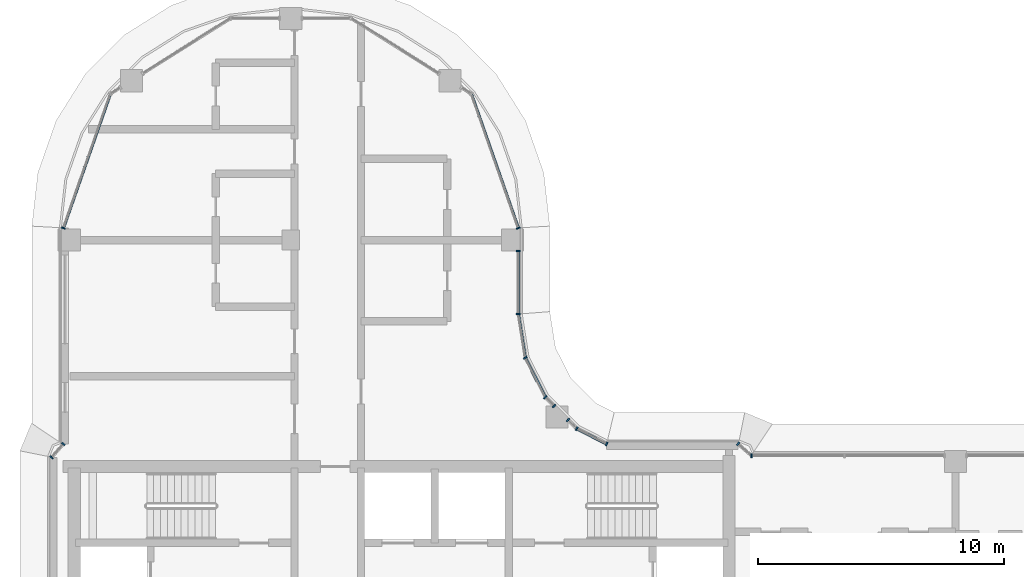
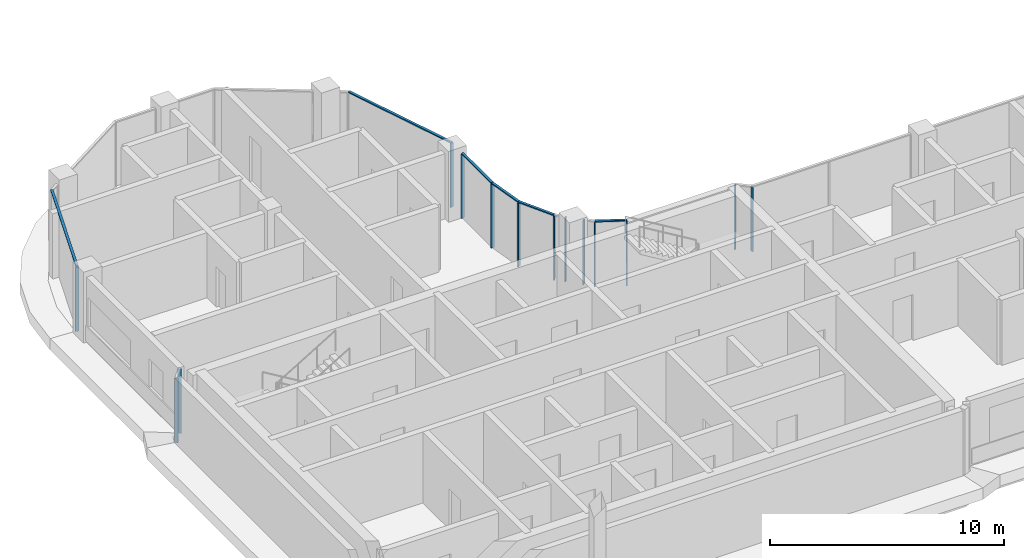
# One storey, part 2 of 20: 20 members, 8 elements without a shape of their own.
"""IFC4 building model written with IfcOpenShell, lengths in metres."""

import ifcopenshell
import ifcopenshell.guid

model = None  # the IFC model being written
_history = None  # IfcOwnerHistory: only IFC2X3 demands one
_inside = {}  # id of a spatial element -> (the spatial element, [elements in it])
_under = {}  # id of a project, library or spatial element -> (it, [spatial elements below it])
_declared = {}  # id of a project -> (the project, [libraries it declares])
_typed = {}  # id of a type object -> (the type object, [elements of that type])
_made_of = {}  # id of a material, layer set ... -> (it, [elements and type objects made of it])


def new_model(schema):
    """Start an empty IFC model of exactly this schema.

    Asked for "IFC4X3", IfcOpenShell would pick the latest addendum, in which some entities
    have other attributes; the version numbers below select the first issue.
    IFC2X3 requires an IfcOwnerHistory on every rooted entity: one is made here for all.
    """
    global model, _history
    if schema == "IFC4X3":
        model = ifcopenshell.file(schema_version=(4, 3, 0, 0))
    else:
        model = ifcopenshell.file(schema=schema)
    _inside.clear()
    _under.clear()
    _declared.clear()
    _typed.clear()
    _made_of.clear()
    _history = None
    if model.schema == "IFC2X3":
        org = make("IfcOrganization", Name="unknown")
        user = make(
            "IfcPersonAndOrganization",
            ThePerson=make("IfcPerson", FamilyName="unknown"),
            TheOrganization=org,
        )
        app = make(
            "IfcApplication",
            ApplicationDeveloper=org,
            Version="unknown",
            ApplicationFullName="unknown",
            ApplicationIdentifier="unknown",
        )
        _history = make(
            "IfcOwnerHistory",
            OwningUser=user,
            OwningApplication=app,
            ChangeAction="ADDED",
            CreationDate=0,
        )
    return model


def make(cls, **values):
    """One entity of the class cls with the attributes given. An attribute that is None is left unset."""
    return model.create_entity(
        cls, **{name: value for name, value in values.items() if value is not None}
    )


def rooted(cls, **values):
    """An entity with a GlobalId (a new one), such as an element, a storey or a relation."""
    return make(cls, GlobalId=ifcopenshell.guid.new(), OwnerHistory=_history, **values)


def si_unit(unit_type, name, prefix=None):
    """IfcSIUnit, for example si_unit("LENGTHUNIT", "METRE", prefix="MILLI")."""
    return make("IfcSIUnit", UnitType=unit_type, Prefix=prefix, Name=name)


def assignment(units):
    """IfcUnitAssignment: the units of a project."""
    return None if units is None else make("IfcUnitAssignment", Units=units)


def point(xyz):
    """IfcCartesianPoint."""
    return None if xyz is None else make("IfcCartesianPoint", Coordinates=xyz)


def direction(xyz):
    """IfcDirection."""
    return None if xyz is None else make("IfcDirection", DirectionRatios=xyz)


def frame(location, z_axis=None, x_axis=None):
    """IfcAxis2Placement3D, a coordinate frame: its origin and axes. An axis left out is left unset."""
    return make(
        "IfcAxis2Placement3D",
        Location=point(location),
        Axis=direction(z_axis),
        RefDirection=direction(x_axis),
    )


def frame_2d(location, x_axis=None):
    """IfcAxis2Placement2D, a coordinate frame in the plane: its origin and x axis."""
    return make(
        "IfcAxis2Placement2D", Location=point(location), RefDirection=direction(x_axis)
    )


def origin():
    """The frame at (0, 0, 0) with its axes left unset."""
    return frame((0.0, 0.0, 0.0))


def origin_2d():
    """The frame at (0, 0) in the plane with its x axis left unset."""
    return frame_2d((0.0, 0.0))


def place(relative_to, where):
    """IfcLocalPlacement: puts the frame where relative to a parent placement (None: the world)."""
    return make(
        "IfcLocalPlacement", PlacementRelTo=relative_to, RelativePlacement=where
    )


def context(
    kind, dimensions, precision=None, world=None, true_north=None, identifier=None
):
    """IfcGeometricRepresentationContext, for example the 3D "Model" context."""
    return make(
        "IfcGeometricRepresentationContext",
        ContextIdentifier=identifier,
        ContextType=kind,
        CoordinateSpaceDimension=dimensions,
        Precision=precision,
        WorldCoordinateSystem=world,
        TrueNorth=true_north,
    )


def subcontext(parent, identifier, kind, view, scale=None):
    """IfcGeometricRepresentationSubContext, for example "Body" below "Model"."""
    return make(
        "IfcGeometricRepresentationSubContext",
        ContextIdentifier=identifier,
        ContextType=kind,
        ParentContext=parent,
        TargetScale=scale,
        TargetView=view,
    )


def project(units=None, contexts=None):
    """IfcProject with its units and contexts."""
    return rooted(
        "IfcProject",
        Name="project",
        RepresentationContexts=contexts,
        UnitsInContext=assignment(units),
    )


def spatial(cls, under=None, at=None, **own):
    """A site, building, storey or space (cls), placed at a placement, below another one or the project."""
    s = rooted(cls, ObjectPlacement=at, **own)
    if under is not None:
        _under.setdefault(under.id(), (under, []))[1].append(s)
    return s


def profile(cls, at=None, kind="AREA", **sizes):
    """A parametric profile (cls). Its sizes go by their IFC names, for example OverallWidth=200.0."""
    return make(cls, ProfileType=kind, Position=at, **sizes)


def rectangle(**sizes):
    """IfcRectangleProfileDef."""
    return profile("IfcRectangleProfileDef", **sizes)


def extrude(swept, where, along, depth):
    """IfcExtrudedAreaSolid: the profile swept, set in the frame where, extruded along a direction by depth."""
    return make(
        "IfcExtrudedAreaSolid",
        SweptArea=swept,
        Position=where,
        ExtrudedDirection=direction(along),
        Depth=depth,
    )


def shape(context_of_items, identifier, shape_type, items):
    """IfcShapeRepresentation: the items that make up one representation, for example the "Body"."""
    return make(
        "IfcShapeRepresentation",
        ContextOfItems=context_of_items,
        RepresentationIdentifier=identifier,
        RepresentationType=shape_type,
        Items=items,
    )


def material(Name=None, Category=None):
    """IfcMaterial."""
    return make("IfcMaterial", Name=Name, Category=Category)


def material_profile(
    of_material, cross_section, Name=None, Category=None, Priority=None
):
    """IfcMaterialProfile: a cross section and its material."""
    return make(
        "IfcMaterialProfile",
        Name=Name,
        Material=of_material,
        Profile=cross_section,
        Priority=Priority,
        Category=Category,
    )


def profile_set(profiles, Name=None, composite=None):
    """IfcMaterialProfileSet."""
    return make(
        "IfcMaterialProfileSet",
        Name=Name,
        MaterialProfiles=profiles,
        CompositeProfile=composite,
    )


def made_of(thing, what):
    """Note that an element or type object is made of a material, layer set ...; save() writes the relation."""
    if what is not None:
        _made_of.setdefault(what.id(), (what, []))[1].append(thing)
    return thing


def type_object(cls, material=None, **own):
    """A type object (cls), such as IfcWallType, which elements share."""
    return made_of(rooted(cls, **own), material)


def element(
    cls,
    number,
    at=None,
    inside=None,
    cuts=None,
    type_object=None,
    material=None,
    context=None,
    identifier="Body",
    shape_type=None,
    held_by="IfcProductDefinitionShape",
    body=None,
    shapes=None,
    **own,
):
    """One element of the class cls, such as IfcWall. Its Tag is "e" and its number.

    at: its placement. inside: the storey or other place that contains it. cuts: it is an
    opening in that element (IfcRelVoidsElement). A single representation is given by context,
    identifier, shape_type and body (its items); several are given by shapes. held_by: the class
    of the entity that holds the representations. save() writes the other relations.
    """
    e = rooted(cls, Tag="e%d" % number, ObjectPlacement=at, **own)
    if body is not None:
        shapes = [shape(context, identifier, shape_type, body)]
    if shapes is not None:
        e.Representation = make(held_by, Representations=shapes)
    if inside is not None:
        _inside.setdefault(inside.id(), (inside, []))[1].append(e)
    if cuts is not None:
        rooted(
            "IfcRelVoidsElement", RelatingBuildingElement=cuts, RelatedOpeningElement=e
        )
    if type_object is not None:
        _typed.setdefault(type_object.id(), (type_object, []))[1].append(e)
    return made_of(e, material)


def aggregate(whole, parts):
    """IfcRelAggregates: a whole, such as a stair, and the parts it consists of."""
    return rooted("IfcRelAggregates", RelatingObject=whole, RelatedObjects=parts)


def save(model, path):
    """Write the relations noted so far, then the file.

    IfcRelAggregates (storeys below a building ...), IfcRelContainedInSpatialStructure (elements
    in a storey), IfcRelDefinesByType, IfcRelAssociatesMaterial and IfcRelDeclares: one each for
    every whole, place, type object, material and project.
    """
    for whole, parts in _under.values():
        aggregate(whole, parts)
    for where, things in _inside.values():
        rooted(
            "IfcRelContainedInSpatialStructure",
            RelatedElements=things,
            RelatingStructure=where,
        )
    for kind, things in _typed.values():
        rooted("IfcRelDefinesByType", RelatedObjects=things, RelatingType=kind)
    for what, things in _made_of.values():
        rooted("IfcRelAssociatesMaterial", RelatedObjects=things, RelatingMaterial=what)
    for by, libraries in _declared.values():
        rooted("IfcRelDeclares", RelatingContext=by, RelatedDefinitions=libraries)
    model.write(path)


model = new_model("IFC4")

# Units and contexts
model_context = context("Model", 3, precision=1e-05, world=origin(), true_north=direction((0.0, 1.0)))
body_context = subcontext(model_context, "Body", "Model", "MODEL_VIEW")
ifc_project = project(units=[si_unit("LENGTHUNIT", "METRE"), si_unit("AREAUNIT", "SQUARE_METRE"), si_unit("VOLUMEUNIT", "CUBIC_METRE"), si_unit("PLANEANGLEUNIT", "RADIAN"), si_unit("MASSUNIT", "GRAM", prefix="KILO")], contexts=[model_context])

# Site, building, storey
site_placement = place(None, origin())
site = spatial("IfcSite", under=ifc_project, at=site_placement, CompositionType="ELEMENT")
building_placement = place(site_placement, origin())
building = spatial("IfcBuilding", under=site, at=building_placement, Name="Ogive Portal Towers", CompositionType="ELEMENT")
storey_placement = place(building_placement, frame((0.0, 0.0, 214.300048828125)))
storey = spatial("IfcBuildingStorey", under=building, at=storey_placement, Name="L53", CompositionType="ELEMENT", Elevation=214.300048828125)

# Curtain wall, members
ifc_material_1 = material(Name="Glass, clear low-iron insulated glazing", Category="glass")
curtain_wall_type = type_object("IfcCurtainWallType", Name="CW FRONT RIBBON 4500", PredefinedType="NOTDEFINED", material=ifc_material_1)
curtain_wall_1_placement = place(storey_placement, origin())
curtain_wall_1 = element("IfcCurtainWall", 1, at=curtain_wall_1_placement, inside=storey, type_object=curtain_wall_type, Name="A:L53:f06:cw0", PredefinedType="NOTDEFINED")
ifc_material_2 = material(Name="Aluminium 6063 anodised", Category="aluminium")
ifc_material_profile_1 = material_profile(ifc_material_2, rectangle(XDim=0.159912109375, YDim=0.06005859375, at=origin_2d()), Name="AL 60x160")
ifc_profile_set_1 = profile_set([ifc_material_profile_1], Name="Aluminium 6063 anodised")
member_type_1 = type_object("IfcMemberType", Name="CW MULLION 60x160", PredefinedType="MULLION", material=ifc_profile_set_1)
member_1_placement = place(storey_placement, frame((49.739990234375, 45.49365234375, 0.0), z_axis=(0.0, 0.0, 1.0), x_axis=(-1.0, 0.0, 0.0)))
member_1 = element("IfcMember", 2, at=member_1_placement, type_object=member_type_1, Name="mullion", PredefinedType="MULLION", context=body_context, shape_type="SweptSolid", body=[
    extrude(rectangle(XDim=0.159912109375, YDim=0.06005859375, at=origin_2d()), origin(), (0.0, 0.0, 1.0), 3.33984375),
])
member_2_placement = place(storey_placement, frame((49.739990234375, 48.050048828125, 0.0), z_axis=(0.0, 0.0, 1.0), x_axis=(-1.0, 0.0, 0.0)))
member_2 = element("IfcMember", 3, at=member_2_placement, type_object=member_type_1, Name="mullion", PredefinedType="MULLION", context=body_context, shape_type="SweptSolid", body=[
    extrude(rectangle(XDim=0.159912109375, YDim=0.06005859375, at=origin_2d()), origin(), (0.0, 0.0, 1.0), 3.33984375),
])

# Curtain wall, member
curtain_wall_2_placement = place(storey_placement, origin())
curtain_wall_2 = element("IfcCurtainWall", 4, at=curtain_wall_2_placement, inside=storey, type_object=curtain_wall_type, Name="A:L53:f26:cw0~3", PredefinedType="NOTDEFINED")
member_3_placement = place(storey_placement, frame((59.22021484375, 39.739990234375, 0.0), z_axis=(0.0, 0.0, 1.0), x_axis=(0.0, -1.0, 0.0)))
member_3 = element("IfcMember", 5, at=member_3_placement, type_object=member_type_1, Name="mullion", PredefinedType="MULLION", context=body_context, shape_type="SweptSolid", body=[
    extrude(rectangle(XDim=0.159912109375, YDim=0.06005859375, at=origin_2d()), origin(), (0.0, 0.0, 1.0), 3.33984375),
])
aggregate(curtain_wall_2, [member_3])

curtain_wall_3_placement = place(storey_placement, origin())
curtain_wall_3 = element("IfcCurtainWall", 6, at=curtain_wall_3_placement, inside=storey, type_object=curtain_wall_type, Name="A:L53:f00:cwa", PredefinedType="NOTDEFINED")
member_4_placement = place(storey_placement, frame((58.669921875, 40.219970703125, 0.0), z_axis=(0.0, 0.0, 1.0), x_axis=(-0.657334513087, -0.753598923768, 0.0)))
member_4 = element("IfcMember", 7, at=member_4_placement, type_object=member_type_1, Name="mullion", PredefinedType="MULLION", context=body_context, shape_type="SweptSolid", body=[
    extrude(rectangle(XDim=0.159912109375, YDim=0.06005859375, at=origin_2d()), origin(), (0.0, 0.0, 1.0), 3.33984375),
])
aggregate(curtain_wall_3, [member_4])

# Curtain wall, members
curtain_wall_4_placement = place(storey_placement, origin())
curtain_wall_4 = element("IfcCurtainWall", 8, at=curtain_wall_4_placement, inside=storey, type_object=curtain_wall_type, Name="A:L53:f02:cwa~0", PredefinedType="NOTDEFINED")
member_5_placement = place(storey_placement, frame((53.3291015625, 40.219970703125, 0.0), z_axis=(0.0, 0.0, 1.0), x_axis=(-0.45399049974, -0.891006524188, 0.0)))
member_5 = element("IfcMember", 9, at=member_5_placement, type_object=member_type_1, Name="mullion", PredefinedType="MULLION", context=body_context, shape_type="SweptSolid", body=[
    extrude(rectangle(XDim=0.159912109375, YDim=0.06005859375, at=origin_2d()), origin(), (0.0, 0.0, 1.0), 3.33984375),
])
member_6_placement = place(storey_placement, frame((52.11376953125, 40.83935546875, 0.0), z_axis=(0.0, 0.0, 1.0), x_axis=(-0.45399049974, -0.891006524188, 0.0)))
member_6 = element("IfcMember", 10, at=member_6_placement, type_object=member_type_1, Name="mullion", PredefinedType="MULLION", context=body_context, shape_type="SweptSolid", body=[
    extrude(rectangle(XDim=0.159912109375, YDim=0.06005859375, at=origin_2d()), origin(), (0.0, 0.0, 1.0), 3.33984375),
])
member_7_placement = place(storey_placement, frame((51.760009765625, 41.193115234375, 0.0), z_axis=(0.0, 0.0, 1.0), x_axis=(-0.707106781187, -0.707106781187, 0.0)))
member_7 = element("IfcMember", 11, at=member_7_placement, type_object=member_type_1, Name="mullion", PredefinedType="MULLION", context=body_context, shape_type="SweptSolid", body=[
    extrude(rectangle(XDim=0.159912109375, YDim=0.06005859375, at=origin_2d()), origin(), (0.0, 0.0, 1.0), 3.33984375),
])

curtain_wall_5_placement = place(storey_placement, origin())
curtain_wall_5 = element("IfcCurtainWall", 12, at=curtain_wall_5_placement, inside=storey, type_object=curtain_wall_type, Name="A:L53:f02:cwa~1", PredefinedType="NOTDEFINED")
member_8_placement = place(storey_placement, frame((51.193115234375, 41.760009765625, 0.0), z_axis=(0.0, 0.0, 1.0), x_axis=(-0.707106781187, -0.707106781187, 0.0)))
member_8 = element("IfcMember", 13, at=member_8_placement, type_object=member_type_1, Name="mullion", PredefinedType="MULLION", context=body_context, shape_type="SweptSolid", body=[
    extrude(rectangle(XDim=0.159912109375, YDim=0.06005859375, at=origin_2d()), origin(), (0.0, 0.0, 1.0), 3.33984375),
])
member_9_placement = place(storey_placement, frame((50.83935546875, 42.11376953125, 0.0), z_axis=(0.0, 0.0, 1.0), x_axis=(-0.707106781187, -0.707106781187, 0.0)))
member_9 = element("IfcMember", 14, at=member_9_placement, type_object=member_type_1, Name="mullion", PredefinedType="MULLION", context=body_context, shape_type="SweptSolid", body=[
    extrude(rectangle(XDim=0.159912109375, YDim=0.06005859375, at=origin_2d()), origin(), (0.0, 0.0, 1.0), 3.33984375),
])
member_10_placement = place(storey_placement, frame((50.02099609375, 43.7197265625, 0.0), z_axis=(0.0, 0.0, 1.0), x_axis=(-0.891006524188, -0.45399049974, 0.0)))
member_10 = element("IfcMember", 15, at=member_10_placement, type_object=member_type_1, Name="mullion", PredefinedType="MULLION", context=body_context, shape_type="SweptSolid", body=[
    extrude(rectangle(XDim=0.159912109375, YDim=0.06005859375, at=origin_2d()), origin(), (0.0, 0.0, 1.0), 3.33984375),
])

# Curtain wall, member
curtain_wall_6_placement = place(storey_placement, origin())
curtain_wall_6 = element("IfcCurtainWall", 16, at=curtain_wall_6_placement, inside=storey, type_object=curtain_wall_type, Name="A:L53:f07:cwa~0", PredefinedType="NOTDEFINED")
member_11_placement = place(storey_placement, frame((49.739990234375, 48.986328125, 0.0), z_axis=(0.0, 0.0, 1.0), x_axis=(-0.943883330307, -0.33027906196, 0.0)))
member_11 = element("IfcMember", 17, at=member_11_placement, type_object=member_type_1, Name="mullion", PredefinedType="MULLION", context=body_context, shape_type="SweptSolid", body=[
    extrude(rectangle(XDim=0.159912109375, YDim=0.06005859375, at=origin_2d()), origin(), (0.0, 0.0, 1.0), 3.33984375),
])

curtain_wall_7_placement = place(storey_placement, origin())
curtain_wall_7 = element("IfcCurtainWall", 18, at=curtain_wall_7_placement, inside=storey, type_object=curtain_wall_type, Name="A:L53:f07:cwa~3", PredefinedType="NOTDEFINED")
member_12_placement = place(storey_placement, frame((31.260009765625, 48.986328125, 0.0), z_axis=(0.0, 0.0, 1.0), x_axis=(0.943883330307, -0.33027906196, 0.0)))
member_12 = element("IfcMember", 19, at=member_12_placement, type_object=member_type_1, Name="mullion", PredefinedType="MULLION", context=body_context, shape_type="SweptSolid", body=[
    extrude(rectangle(XDim=0.159912109375, YDim=0.06005859375, at=origin_2d()), origin(), (0.0, 0.0, 1.0), 3.33984375),
])

# Curtain wall, members
curtain_wall_8_placement = place(storey_placement, origin())
curtain_wall_8 = element("IfcCurtainWall", 20, at=curtain_wall_8_placement, inside=storey, type_object=curtain_wall_type, Name="A:L53:f13:cwa", PredefinedType="NOTDEFINED")
member_13_placement = place(storey_placement, frame((31.260009765625, 40.22021484375, 0.0), z_axis=(0.0, 0.0, 1.0), x_axis=(0.753598923768, -0.657334513087, 0.0)))
member_13 = element("IfcMember", 21, at=member_13_placement, type_object=member_type_1, Name="mullion", PredefinedType="MULLION", context=body_context, shape_type="SweptSolid", body=[
    extrude(rectangle(XDim=0.159912109375, YDim=0.06005859375, at=origin_2d()), origin(), (0.0, 0.0, 1.0), 3.33984375),
])
member_14_placement = place(storey_placement, frame((30.780029296875, 39.669921875, 0.0), z_axis=(0.0, 0.0, 1.0), x_axis=(0.753598923768, -0.657334513087, 0.0)))
member_14 = element("IfcMember", 22, at=member_14_placement, type_object=member_type_1, Name="mullion", PredefinedType="MULLION", context=body_context, shape_type="SweptSolid", body=[
    extrude(rectangle(XDim=0.159912109375, YDim=0.06005859375, at=origin_2d()), origin(), (0.0, 0.0, 1.0), 3.33984375),
])
aggregate(curtain_wall_8, [member_13, member_14])

# Member
ifc_material_profile_2 = material_profile(ifc_material_2, rectangle(XDim=0.1201171875, YDim=0.06005859375, at=origin_2d()), Name="AL 120x60")
ifc_profile_set_2 = profile_set([ifc_material_profile_2], Name="Aluminium 6063 anodised")
member_type_2 = type_object("IfcMemberType", Name="CW TRANSOM 60x120", PredefinedType="USERDEFINED", material=ifc_profile_set_2)
member_15_placement = place(storey_placement, frame((49.739990234375, 45.49365234375, 3.369873046875), z_axis=(0.0, 1.0, 0.0), x_axis=(-1.0, 0.0, 0.0)))
member_15 = element("IfcMember", 23, at=member_15_placement, type_object=member_type_2, Name="transom", ObjectType="TRANSOM", PredefinedType="USERDEFINED", context=body_context, shape_type="SweptSolid", body=[
    extrude(rectangle(XDim=0.1201171875, YDim=0.06005859375, at=origin_2d()), origin(), (0.0, 0.0, 1.0), 2.556396484375),
])

aggregate(curtain_wall_1, [member_15, member_1, member_2])

member_16_placement = place(storey_placement, frame((53.3291015625, 40.219970703125, 3.369873046875), z_axis=(-0.890964361459, 0.454073239257, 0.0), x_axis=(-0.454073239257, -0.890964361459, 0.0)))
member_16 = element("IfcMember", 24, at=member_16_placement, type_object=member_type_2, Name="transom", ObjectType="TRANSOM", PredefinedType="USERDEFINED", context=body_context, shape_type="SweptSolid", body=[
    extrude(rectangle(XDim=0.1201171875, YDim=0.06005859375, at=origin_2d()), origin(), (0.0, 0.0, 1.0), 1.364013671875),
])

aggregate(curtain_wall_4, [member_16, member_5, member_6, member_7])

member_17_placement = place(storey_placement, frame((50.83935546875, 42.11376953125, 3.369873046875), z_axis=(-0.45402723172, 0.890987807356, 0.0), x_axis=(-0.890987807356, -0.45402723172, 0.0)))
member_17 = element("IfcMember", 25, at=member_17_placement, type_object=member_type_2, Name="transom", ObjectType="TRANSOM", PredefinedType="USERDEFINED", context=body_context, shape_type="SweptSolid", body=[
    extrude(rectangle(XDim=0.1201171875, YDim=0.06005859375, at=origin_2d()), origin(), (0.0, 0.0, 1.0), 1.802490234375),
])

member_18_placement = place(storey_placement, frame((50.02099609375, 43.7197265625, 3.369873046875), z_axis=(-0.156458155909, 0.987684588039, 0.0), x_axis=(-0.987684588039, -0.156458155909, 0.0)))
member_18 = element("IfcMember", 26, at=member_18_placement, type_object=member_type_2, Name="transom", ObjectType="TRANSOM", PredefinedType="USERDEFINED", context=body_context, shape_type="SweptSolid", body=[
    extrude(rectangle(XDim=0.1201171875, YDim=0.06005859375, at=origin_2d()), origin(), (0.0, 0.0, 1.0), 1.796142578125),
])

aggregate(curtain_wall_5, [member_17, member_18, member_8, member_9, member_10])

member_19_placement = place(storey_placement, frame((49.739990234375, 48.986328125, 3.369873046875), z_axis=(-0.330260183701, 0.943889935883, 0.0), x_axis=(-0.943889935883, -0.330260183701, 0.0)))
member_19 = element("IfcMember", 27, at=member_19_placement, type_object=member_type_2, Name="transom", ObjectType="TRANSOM", PredefinedType="USERDEFINED", context=body_context, shape_type="SweptSolid", body=[
    extrude(rectangle(XDim=0.1201171875, YDim=0.06005859375, at=origin_2d()), origin(), (0.0, 0.0, 1.0), 5.784423828125),
])

aggregate(curtain_wall_6, [member_19, member_11])

member_20_placement = place(storey_placement, frame((33.17041015625, 54.4462890625, 3.369873046875), z_axis=(-0.330260183701, -0.943889935883, 0.0), x_axis=(0.943889935883, -0.330260183701, 0.0)))
member_20 = element("IfcMember", 28, at=member_20_placement, type_object=member_type_2, Name="transom", ObjectType="TRANSOM", PredefinedType="USERDEFINED", context=body_context, shape_type="SweptSolid", body=[
    extrude(rectangle(XDim=0.1201171875, YDim=0.06005859375, at=origin_2d()), origin(), (0.0, 0.0, 1.0), 5.784423828125),
])

aggregate(curtain_wall_7, [member_20, member_12])

save(model, "model.ifc")
